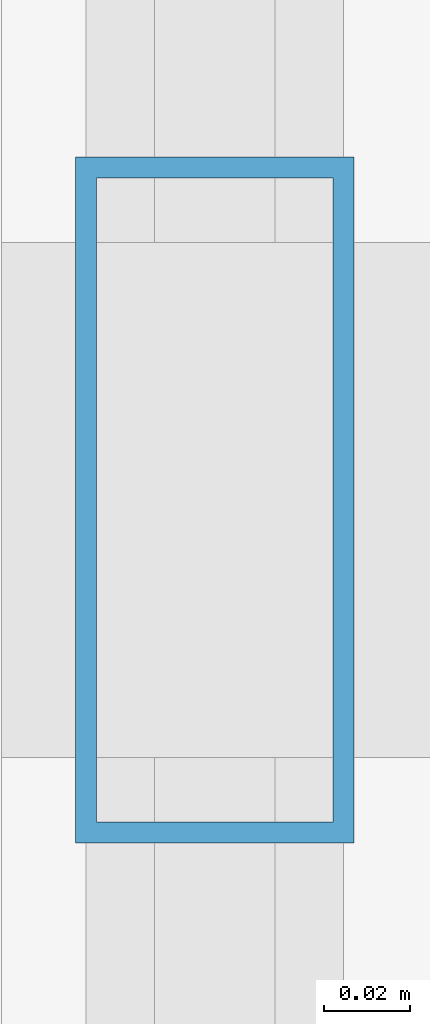
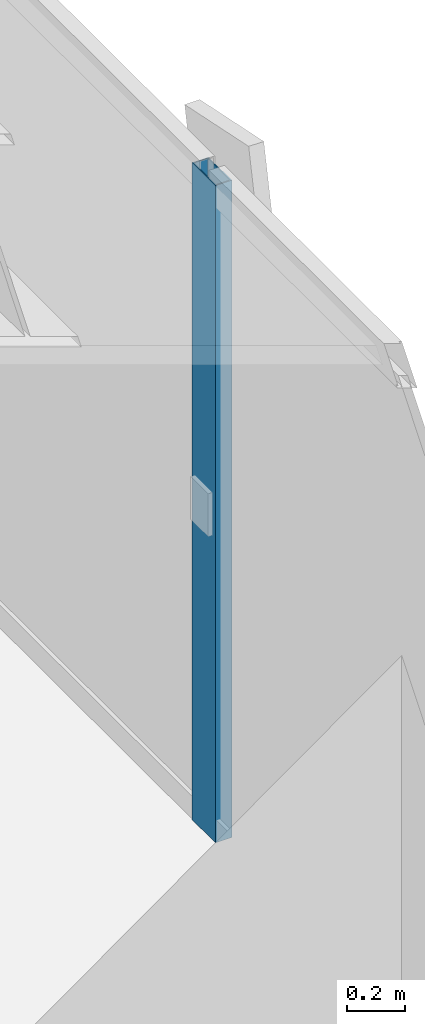
# One storey, part 11 of 28: 1 member, 1 element without a shape of its own.
"""IFC4 building model written with IfcOpenShell, lengths in metres."""

from ifc_helpers import new_model, si_unit, direction, frame, origin, origin_2d, place, context, subcontext, project, spatial, hollow_rectangle, extrude, source, transform, mapped, material, layer, layer_set, material_profile, profile_set, type_object, element, aggregate, save


model = new_model("IFC4")

# Units and contexts
model_context = context("Model", 3, precision=1e-05, world=origin(), true_north=direction((0.0, 1.0)))
body_context = subcontext(model_context, "Body", "Model", "MODEL_VIEW")
ifc_project = project(units=[si_unit("LENGTHUNIT", "METRE"), si_unit("AREAUNIT", "SQUARE_METRE"), si_unit("VOLUMEUNIT", "CUBIC_METRE"), si_unit("PLANEANGLEUNIT", "RADIAN"), si_unit("MASSUNIT", "GRAM", prefix="KILO")], contexts=[model_context])

# Site, building, storey
site_placement = place(None, origin())
site = spatial("IfcSite", under=ifc_project, at=site_placement, CompositionType="ELEMENT")
building_placement = place(site_placement, origin())
building = spatial("IfcBuilding", under=site, at=building_placement, Name="Sumidabori Civic Tower", CompositionType="ELEMENT")
storey_placement = place(building_placement, frame((0.0, 0.0, 174.800048828125)))
storey = spatial("IfcBuildingStorey", under=building, at=storey_placement, Name="L45", CompositionType="ELEMENT", Elevation=174.800048828125)

# Curtain wall, member
ifc_material = material(Name="Anodised Bronze Aluminium AW-6063-T6", Category="aluminium")
ifc_layer = layer(ifc_material, 0.179931640625, Name="Anodised Bronze Aluminium AW-6063-T6")
ifc_layer_set = layer_set([ifc_layer], Name="Anodised Bronze Aluminium AW-6063-T6")
curtain_wall_type = type_object("IfcCurtainWallType", Name="CW-SYS-3", PredefinedType="NOTDEFINED", material=ifc_layer_set)
curtain_wall_placement = place(storey_placement, origin())
curtain_wall = element("IfcCurtainWall", 1, at=curtain_wall_placement, inside=storey, type_object=curtain_wall_type, Name="Curtain Wall CW:L45:R04", PredefinedType="NOTDEFINED")
ifc_material_profile = material_profile(ifc_material, hollow_rectangle(XDim=0.06494140625, YDim=0.159912109375, WallThickness=0.0048828125, at=origin_2d()), Name="ALU MULLION 160x65")
ifc_profile_set = profile_set([ifc_material_profile], Name="Anodised Bronze Aluminium AW-6063-T6")
member_type = type_object("IfcMemberType", Name="CW-MUL-160", PredefinedType="MULLION", material=ifc_profile_set)
shared_shape = source(origin(), body_context, "Body", "SweptSolid", [
    extrude(hollow_rectangle(XDim=0.06494140625, YDim=0.159912109375, WallThickness=0.0048828125, at=origin_2d()), origin(), (0.0, 0.0, 1.0), 2.760009765625),
])
member_placement = place(storey_placement, frame((23.8798828125, -8.2099609375, 0.0), z_axis=(0.0, 0.0, 1.0), x_axis=(-1.0, 0.0, 0.0)))
member = element("IfcMember", 2, at=member_placement, type_object=member_type, Name="CW-3 mullion 2", PredefinedType="MULLION", context=body_context, shape_type="MappedRepresentation", body=[
    mapped(shared_shape, transform((0.0, 0.0, 0.0), x_axis=(1.0, 0.0, 0.0), y_axis=(0.0, 1.0, 0.0), z_axis=(0.0, 0.0, 1.0), scale=1.0)),
])
aggregate(curtain_wall, [member])

save(model, "model.ifc")
